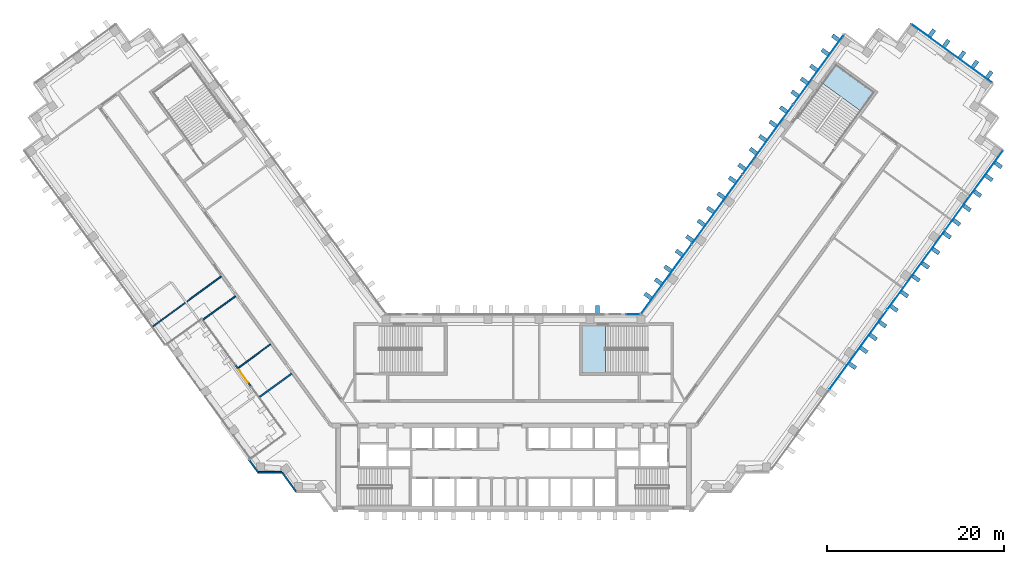
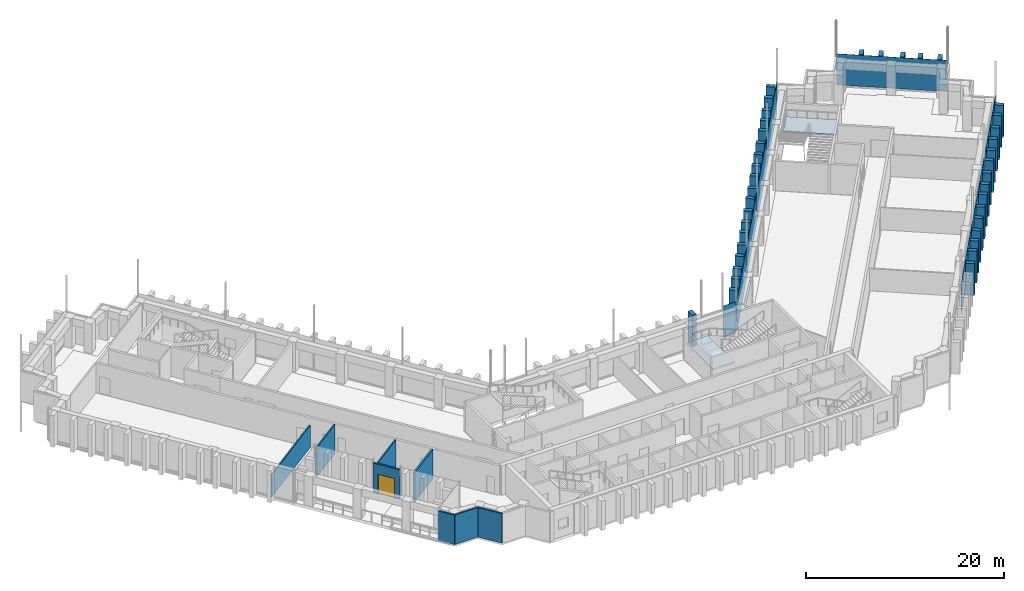
# One storey, part 9 of 18: 49 plates, 8 walls, 2 slabs, 1 door, 1 opening, 6 elements without a shape of their own.
"""IFC4 building model written with IfcOpenShell, lengths in metres."""

from ifc_helpers import new_model, si_unit, direction, frame, frame_2d, origin, origin_2d, place, context, subcontext, project, spatial, polyline, rectangle, outline, extrude, material, layer, layer_set, type_object, element, fill, aggregate, save


model = new_model("IFC4")

# Units and contexts
model_context = context("Model", 3, precision=1e-05, world=origin(), true_north=direction((0.0, 1.0)))
body_context = subcontext(model_context, "Body", "Model", "MODEL_VIEW")
ifc_project = project(units=[si_unit("LENGTHUNIT", "METRE"), si_unit("AREAUNIT", "SQUARE_METRE"), si_unit("VOLUMEUNIT", "CUBIC_METRE"), si_unit("PLANEANGLEUNIT", "RADIAN"), si_unit("MASSUNIT", "GRAM", prefix="KILO")], contexts=[model_context])

# Site, building, storey
site_placement = place(None, origin())
site = spatial("IfcSite", under=ifc_project, at=site_placement, CompositionType="ELEMENT")
building_placement = place(site_placement, origin())
building = spatial("IfcBuilding", under=site, at=building_placement, Name="Quipu Civic Tower", CompositionType="ELEMENT")
storey_placement = place(building_placement, frame((0.0, 0.0, 59.0)))
storey = spatial("IfcBuildingStorey", under=building, at=storey_placement, Name="L13", CompositionType="ELEMENT", Elevation=59.0)

# Curtain wall, plates
ifc_material_1 = material(Name="Insulated glass unit", Category="glass")
curtain_wall_type = type_object("IfcCurtainWallType", Name="Office curtain wall CW1", PredefinedType="NOTDEFINED", material=ifc_material_1)
curtain_wall_1_placement = place(storey_placement, origin())
curtain_wall_1 = element("IfcCurtainWall", 1, at=curtain_wall_1_placement, inside=storey, type_object=curtain_wall_type, Name="Office curtain wall CW1 L12 run 26", PredefinedType="NOTDEFINED")
ifc_material_2 = material(Name="Insulated glass unit", Category="glass")
ifc_layer_1 = layer(ifc_material_2, 0.028076171875)
ifc_layer_set_1 = layer_set([ifc_layer_1], Name="Insulated glass unit")
plate_type_1 = type_object("IfcPlateType", Name="Glass panel CW1", PredefinedType="CURTAIN_PANEL", material=ifc_layer_set_1)
plate_1_placement = place(storey_placement, frame((38.880126953125, 7.101806640625, 0.16015625), z_axis=(0.0, 0.0, 1.0), x_axis=(0.587785559869, 0.809016770908, 0.0)))
plate_1 = element("IfcPlate", 2, at=plate_1_placement, type_object=plate_type_1, Name="CW1 panel 2.2", PredefinedType="CURTAIN_PANEL", context=body_context, shape_type="SweptSolid", body=[
    extrude(rectangle(XDim=11.062744140625, YDim=0.028076171875, at=origin_2d()), origin(), (0.0, 0.0, 1.0), 3.840087890625),
])
plate_2_placement = place(storey_placement, frame((45.4296875, 16.11669921875, 0.16015625), z_axis=(0.0, 0.0, 1.0), x_axis=(0.587785559869, 0.809016770908, 0.0)))
plate_2 = element("IfcPlate", 3, at=plate_2_placement, type_object=plate_type_1, Name="CW1 panel 3.2", PredefinedType="CURTAIN_PANEL", context=body_context, shape_type="SweptSolid", body=[
    extrude(rectangle(XDim=11.062744140625, YDim=0.028076171875, at=origin_2d()), origin(), (0.0, 0.0, 1.0), 3.840087890625),
])
plate_3_placement = place(storey_placement, frame((51.967529296875, 25.114990234375, 0.16015625), z_axis=(0.0, 0.0, 1.0), x_axis=(0.587785559869, 0.809016770908, 0.0)))
plate_3 = element("IfcPlate", 4, at=plate_3_placement, type_object=plate_type_1, Name="CW1 panel 4.2", PredefinedType="CURTAIN_PANEL", context=body_context, shape_type="SweptSolid", body=[
    extrude(rectangle(XDim=11.022705078125, YDim=0.028076171875, at=origin_2d()), origin(), (0.0, 0.0, 1.0), 3.840087890625),
])
aggregate(curtain_wall_1, [plate_1, plate_2, plate_3])

# Curtain wall, plate
curtain_wall_2_placement = place(storey_placement, origin())
curtain_wall_2 = element("IfcCurtainWall", 5, at=curtain_wall_2_placement, inside=storey, type_object=curtain_wall_type, Name="Office curtain wall CW1 L12 run 31", PredefinedType="NOTDEFINED")
plate_4_placement = place(storey_placement, frame((49.447998046875, 40.53173828125, 0.16015625), z_axis=(0.0, 0.0, 1.0), x_axis=(-0.809019348124, 0.587782012621, 0.0)))
plate_4 = element("IfcPlate", 6, at=plate_4_placement, type_object=plate_type_1, Name="CW1 panel 1.2", PredefinedType="CURTAIN_PANEL", context=body_context, shape_type="SweptSolid", body=[
    extrude(rectangle(XDim=11.239990234375, YDim=0.028076171875, at=origin_2d()), origin(), (0.0, 0.0, 1.0), 3.840087890625),
])
aggregate(curtain_wall_2, [plate_4])

# Curtain wall, plates
curtain_wall_3_placement = place(storey_placement, origin())
curtain_wall_3 = element("IfcCurtainWall", 7, at=curtain_wall_3_placement, inside=storey, type_object=curtain_wall_type, Name="Office curtain wall CW1 L12 run 36", PredefinedType="NOTDEFINED")
plate_5_placement = place(storey_placement, frame((34.413330078125, 38.722900390625, 0.16015625), z_axis=(0.0, 0.0, 1.0), x_axis=(-0.587785887566, -0.809016532822, 0.0)))
plate_5 = element("IfcPlate", 8, at=plate_5_placement, type_object=plate_type_1, Name="CW1 panel 1.2", PredefinedType="CURTAIN_PANEL", context=body_context, shape_type="SweptSolid", body=[
    extrude(rectangle(XDim=9.64111328125, YDim=0.028076171875, at=origin_2d()), origin(), (0.0, 0.0, 1.0), 3.840087890625),
])
plate_6_placement = place(storey_placement, frame((28.687744140625, 30.84228515625, 0.16015625), z_axis=(0.0, 0.0, 1.0), x_axis=(-0.587785887566, -0.809016532822, 0.0)))
plate_6 = element("IfcPlate", 9, at=plate_6_placement, type_object=plate_type_1, Name="CW1 panel 2.2", PredefinedType="CURTAIN_PANEL", context=body_context, shape_type="SweptSolid", body=[
    extrude(rectangle(XDim=9.68115234375, YDim=0.028076171875, at=origin_2d()), origin(), (0.0, 0.0, 1.0), 3.840087890625),
])
plate_7_placement = place(storey_placement, frame((22.950439453125, 22.9453125, 0.16015625), z_axis=(0.0, 0.0, 1.0), x_axis=(-0.587785887566, -0.809016532822, 0.0)))
plate_7 = element("IfcPlate", 10, at=plate_7_placement, type_object=plate_type_1, Name="CW1 panel 3.2", PredefinedType="CURTAIN_PANEL", context=body_context, shape_type="SweptSolid", body=[
    extrude(rectangle(XDim=9.68115234375, YDim=0.028076171875, at=origin_2d()), origin(), (0.0, 0.0, 1.0), 3.840087890625),
])
plate_8_placement = place(storey_placement, frame((17.224609375, 15.064697265625, 0.16015625), z_axis=(0.0, 0.0, 1.0), x_axis=(-0.587785887566, -0.809016532822, 0.0)))
plate_8 = element("IfcPlate", 11, at=plate_8_placement, type_object=plate_type_1, Name="CW1 panel 4.2", PredefinedType="CURTAIN_PANEL", context=body_context, shape_type="SweptSolid", body=[
    extrude(rectangle(XDim=9.64111328125, YDim=0.028076171875, at=origin_2d()), origin(), (0.0, 0.0, 1.0), 3.840087890625),
])
aggregate(curtain_wall_3, [plate_5, plate_6, plate_7, plate_8])

# Curtain wall, plate
curtain_wall_4_placement = place(storey_placement, origin())
curtain_wall_4 = element("IfcCurtainWall", 12, at=curtain_wall_4_placement, inside=storey, type_object=curtain_wall_type, Name="Office curtain wall CW1 L12 run 37", PredefinedType="NOTDEFINED")
plate_9_placement = place(storey_placement, frame((13.49951171875, 11.10009765625, 0.16015625), z_axis=(0.0, 0.0, 1.0), x_axis=(-1.0, 0.0, 0.0)))
plate_9 = element("IfcPlate", 13, at=plate_9_placement, type_object=plate_type_1, Name="CW1 panel 1.2", PredefinedType="CURTAIN_PANEL", context=body_context, shape_type="SweptSolid", body=[
    extrude(rectangle(XDim=1.529296875, YDim=0.028076171875, at=origin_2d()), origin(), (0.0, 0.0, 1.0), 3.840087890625),
])
aggregate(curtain_wall_4, [plate_9])

# Plates
ifc_material_3 = material(Name="Precast concrete C40/50", Category="concrete")
plate_type_2 = type_object("IfcPlateType", Name="Precast fin F1", PredefinedType="SHEET", material=ifc_material_3)
for number, where, z_axis, x_axis, name in (
    (14, (38.243896484375, 5.29052734375, 0.080078125), (0.0, 0.0, 1.0), (0.587785716149, 0.809016657363, 0.0), "Precast fin F1 L13.P23.8"),
    (15, (39.537109375, 7.0703125, 0.080078125), (0.0, 0.0, 1.0), (0.587785716149, 0.809016657363, 0.0), "Precast fin F1 L13.P23.9"),
    (16, (40.594970703125, 8.526611328125, 0.080078125), (0.0, 0.0, 1.0), (0.587785716149, 0.809016657363, 0.0), "Precast fin F1 L13.P23.10"),
    (17, (41.653076171875, 9.982666015625, 0.080078125), (0.0, 0.0, 1.0), (0.587785716149, 0.809016657363, 0.0), "Precast fin F1 L13.P23.11"),
    (18, (42.9462890625, 11.7626953125, 0.080078125), (0.0, 0.0, 1.0), (0.587785716149, 0.809016657363, 0.0), "Precast fin F1 L13.P23.12"),
    (19, (44.121826171875, 13.380615234375, 0.080078125), (0.0, 0.0, 1.0), (0.587785716149, 0.809016657363, 0.0), "Precast fin F1 L13.P23.13"),
    (20, (45.414794921875, 15.160400390625, 0.080078125), (0.0, 0.0, 1.0), (0.587785716149, 0.809016657363, 0.0), "Precast fin F1 L13.P23.14"),
    (21, (46.472900390625, 16.61669921875, 0.080078125), (0.0, 0.0, 1.0), (0.587785716149, 0.809016657363, 0.0), "Precast fin F1 L13.P23.15"),
    (22, (47.6484375, 18.234619140625, 0.080078125), (0.0, 0.0, 1.0), (0.587785716149, 0.809016657363, 0.0), "Precast fin F1 L13.P23.16"),
    (23, (48.941650390625, 20.0146484375, 0.080078125), (0.0, 0.0, 1.0), (0.587785716149, 0.809016657363, 0.0), "Precast fin F1 L13.P23.17"),
    (24, (49.999755859375, 21.470703125, 0.080078125), (0.0, 0.0, 1.0), (0.587785716149, 0.809016657363, 0.0), "Precast fin F1 L13.P23.18"),
    (25, (51.17529296875, 23.0888671875, 0.080078125), (0.0, 0.0, 1.0), (0.587785716149, 0.809016657363, 0.0), "Precast fin F1 L13.P23.19"),
    (26, (52.350830078125, 24.706787109375, 0.080078125), (0.0, 0.0, 1.0), (0.587785716149, 0.809016657363, 0.0), "Precast fin F1 L13.P23.20"),
    (27, (53.643798828125, 26.48681640625, 0.080078125), (0.0, 0.0, 1.0), (0.587785716149, 0.809016657363, 0.0), "Precast fin F1 L13.P23.21"),
    (28, (54.701904296875, 27.94287109375, 0.080078125), (0.0, 0.0, 1.0), (0.587785716149, 0.809016657363, 0.0), "Precast fin F1 L13.P23.22"),
    (29, (53.6748046875, 38.140625, 0.080078125), (0.0, 0.0, 1.0), (-0.809021318545, 0.587779300537, 0.0), "Precast fin F1 L13.P28.1"),
    (30, (52.056884765625, 39.316162109375, 0.080078125), (0.0, 0.0, 1.0), (-0.809021318545, 0.587779300537, 0.0), "Precast fin F1 L13.P28.2"),
    (31, (50.6005859375, 40.374267578125, 0.080078125), (0.0, 0.0, 1.0), (-0.809021318545, 0.587779300537, 0.0), "Precast fin F1 L13.P28.3"),
    (32, (48.82080078125, 41.66748046875, 0.080078125), (0.0, 0.0, 1.0), (-0.809021318545, 0.587779300537, 0.0), "Precast fin F1 L13.P28.4"),
    (33, (47.20263671875, 42.843017578125, 0.080078125), (0.0, 0.0, 1.0), (-0.809021318545, 0.587779300537, 0.0), "Precast fin F1 L13.P28.5"),
    (34, (36.334716796875, 42.302978515625, 0.080078125), (0.0, 0.0, 1.0), (-0.587784944053, -0.809017218324, 0.0), "Precast fin F1 L13.P33.1"),
    (35, (35.158935546875, 40.684814453125, 0.080078125), (0.0, 0.0, 1.0), (-0.587784944053, -0.809017218324, 0.0), "Precast fin F1 L13.P33.2"),
    (36, (33.865966796875, 38.905029296875, 0.080078125), (0.0, 0.0, 1.0), (-0.587784944053, -0.809017218324, 0.0), "Precast fin F1 L13.P33.3"),
    (37, (32.807861328125, 37.44873046875, 0.080078125), (0.0, 0.0, 1.0), (-0.587784944053, -0.809017218324, 0.0), "Precast fin F1 L13.P33.4"),
    (38, (31.75, 35.992431640625, 0.080078125), (0.0, 0.0, 1.0), (-0.587784944053, -0.809017218324, 0.0), "Precast fin F1 L13.P33.5"),
    (39, (30.456787109375, 34.212646484375, 0.080078125), (0.0, 0.0, 1.0), (-0.587784944053, -0.809017218324, 0.0), "Precast fin F1 L13.P33.6"),
    (40, (29.28125, 32.5947265625, 0.080078125), (0.0, 0.0, 1.0), (-0.587784944053, -0.809017218324, 0.0), "Precast fin F1 L13.P33.7"),
    (41, (28.105712890625, 30.9765625, 0.080078125), (0.0, 0.0, 1.0), (-0.587784944053, -0.809017218324, 0.0), "Precast fin F1 L13.P33.8"),
    (42, (27.047607421875, 29.5205078125, 0.080078125), (0.0, 0.0, 1.0), (-0.587784944053, -0.809017218324, 0.0), "Precast fin F1 L13.P33.9"),
    (43, (25.75439453125, 27.740478515625, 0.080078125), (0.0, 0.0, 1.0), (-0.587784944053, -0.809017218324, 0.0), "Precast fin F1 L13.P33.10"),
    (44, (24.696533203125, 26.284423828125, 0.080078125), (0.0, 0.0, 1.0), (-0.587784944053, -0.809017218324, 0.0), "Precast fin F1 L13.P33.11"),
    (45, (23.4033203125, 24.50439453125, 0.080078125), (0.0, 0.0, 1.0), (-0.587784944053, -0.809017218324, 0.0), "Precast fin F1 L13.P33.12"),
    (46, (22.227783203125, 22.886474609375, 0.080078125), (0.0, 0.0, 1.0), (-0.587784944053, -0.809017218324, 0.0), "Precast fin F1 L13.P33.13"),
    (47, (21.169677734375, 21.43017578125, 0.080078125), (0.0, 0.0, 1.0), (-0.587784944053, -0.809017218324, 0.0), "Precast fin F1 L13.P33.14"),
    (48, (19.876708984375, 19.650390625, 0.080078125), (0.0, 0.0, 1.0), (-0.587784944053, -0.809017218324, 0.0), "Precast fin F1 L13.P33.15"),
    (49, (18.701171875, 18.032470703125, 0.080078125), (0.0, 0.0, 1.0), (-0.587784944053, -0.809017218324, 0.0), "Precast fin F1 L13.P33.16"),
    (50, (17.407958984375, 16.25244140625, 0.080078125), (0.0, 0.0, 1.0), (-0.587784944053, -0.809017218324, 0.0), "Precast fin F1 L13.P33.17"),
    (51, (16.349853515625, 14.79638671875, 0.080078125), (0.0, 0.0, 1.0), (-0.587784944053, -0.809017218324, 0.0), "Precast fin F1 L13.P33.18"),
    (52, (15.17431640625, 13.17822265625, 0.080078125), (0.0, 0.0, 1.0), (-0.587784944053, -0.809017218324, 0.0), "Precast fin F1 L13.P33.19"),
    (53, (9.47509765625, 11.64990234375, 0.080078125), (0.0, 0.0, 1.0), (-1.0, 0.0, 0.0), "Precast fin F1 L13.P36.1"),
):
    element("IfcPlate", number, at=place(storey_placement, frame(where, z_axis=z_axis, x_axis=x_axis)), inside=storey, type_object=plate_type_2, Name=name, PredefinedType="SHEET", context=body_context, shape_type="SweptSolid", body=[
        extrude(rectangle(XDim=0.449951171875, YDim=0.89990234375, at=origin_2d()), origin(), (0.0, 0.0, 1.0), 3.919921875),
    ])

# Stair, slab
ifc_material_4 = material(Name="Concrete C40/50", Category="concrete")
stair_type = type_object("IfcStairType", Name="Half turn stair 2600", PredefinedType="HALF_TURN_STAIR", material=ifc_material_4)
stair_1_placement = place(storey_placement, origin())
stair_1 = element("IfcStair", 54, at=stair_1_placement, inside=storey, type_object=stair_type, Name="Exit stair 4", PredefinedType="HALF_TURN_STAIR")
ifc_material_5 = material(Name="Concrete C40/50", Category="concrete")
ifc_layer_2 = layer(ifc_material_5, 0.199951171875)
ifc_layer_set_2 = layer_set([ifc_layer_2], Name="Concrete C40/50")
slab_type = type_object("IfcSlabType", Name="Stair landing 200", PredefinedType="LANDING", material=ifc_layer_set_2)
slab_1_placement = place(storey_placement, frame((0.0, 0.0, 1.800048828125)))
slab_1 = element("IfcSlab", 55, at=slab_1_placement, type_object=slab_type, Name="ST-4 landing 1", PredefinedType="LANDING", context=body_context, shape_type="SweptSolid", body=[
    extrude(outline(polyline([(10.35009765625, 9.85009765625), (7.75, 9.85009765625), (7.75, 4.5), (10.35009765625, 4.5), (10.35009765625, 9.85009765625)])), origin(), (0.0, 0.0, 1.0), 0.199951171875),
])
aggregate(stair_1, [slab_1])

stair_2_placement = place(storey_placement, origin())
stair_2 = element("IfcStair", 56, at=stair_2_placement, inside=storey, type_object=stair_type, Name="Exit stair 7", PredefinedType="HALF_TURN_STAIR")
slab_2_placement = place(storey_placement, frame((0.0, 0.0, 1.800048828125)))
slab_2 = element("IfcSlab", 57, at=slab_2_placement, type_object=slab_type, Name="ST-7 landing 1", PredefinedType="LANDING", context=body_context, shape_type="SweptSolid", body=[
    extrude(outline(polyline([(39.16552734375, 34.034912109375), (40.69384765625, 36.138427734375), (36.365478515625, 39.282958984375), (34.837158203125, 37.179443359375), (39.16552734375, 34.034912109375)])), origin(), (0.0, 0.0, 1.0), 0.199951171875),
])
aggregate(stair_2, [slab_2])

# Walls
ifc_material_6 = material(Name="Double gypsum plasterboard with mineral wool")
ifc_layer_3 = layer(ifc_material_6, 0.14990234375)
ifc_layer_set_3 = layer_set([ifc_layer_3], Name="Double gypsum plasterboard with mineral wool")
wall_type_1 = type_object("IfcWallType", Name="Acoustic partition 150 plasterboard", PredefinedType="PARTITIONING", material=ifc_layer_set_3)
wall_1_placement = place(storey_placement, frame((-40.68017578125, 9.74951171875, 0.0), z_axis=(0.0, 0.0, 1.0), x_axis=(0.807645841498, 0.589667868135, 0.0)))
element("IfcWall", 58, at=wall_1_placement, inside=storey, type_object=wall_type_1, Name="Partition P09", PredefinedType="PARTITIONING", context=body_context, shape_type="SweptSolid", body=[
    extrude(rectangle(XDim=9.550537109375, YDim=0.14990234375, at=frame_2d((4.775390625, 0.0))), origin(), (0.0, 0.0, 1.0), 2.75),
])
wall_2_placement = place(storey_placement, frame((-31.356201171875, 13.163818359375, 0.0), z_axis=(0.0, 0.0, 1.0), x_axis=(-0.80905553785, -0.587732198092, 0.0)))
element("IfcWall", 59, at=wall_2_placement, inside=storey, type_object=wall_type_1, Name="Partition P10", PredefinedType="PARTITIONING", context=body_context, shape_type="SweptSolid", body=[
    extrude(rectangle(XDim=4.492919921875, YDim=0.14990234375, at=frame_2d((2.24658203125, 0.0))), origin(), (0.0, 0.0, 1.0), 3.64990234375),
])
wall_3_placement = place(storey_placement, frame((-31.0078125, 5.09130859375, 0.0), z_axis=(0.0, 0.0, 1.0), x_axis=(0.805604164151, 0.592454159157, 0.0)))
element("IfcWall", 60, at=wall_3_placement, inside=storey, type_object=wall_type_1, Name="Partition P11", PredefinedType="PARTITIONING", context=body_context, shape_type="SweptSolid", body=[
    extrude(rectangle(XDim=4.46240234375, YDim=0.14990234375, at=frame_2d((2.231201171875, 0.0))), origin(), (0.0, 0.0, 1.0), 3.64990234375),
])
ifc_material_7 = material(Name="Fired clay blockwork", Category="masonry")
ifc_layer_4 = layer(ifc_material_7, 0.199951171875)
ifc_layer_set_4 = layer_set([ifc_layer_4], Name="Fired clay blockwork")
wall_type_2 = type_object("IfcWallType", Name="Blockwork wall 200", PredefinedType="SOLIDWALL", material=ifc_layer_set_4)
wall_4_placement = place(storey_placement, frame((-25.00830078125, 4.4267578125, 0.0), z_axis=(0.0, 0.0, 1.0), x_axis=(-0.809074306937, -0.58770636023, 0.0)))
element("IfcWall", 61, at=wall_4_placement, inside=storey, type_object=wall_type_2, Name="Partition P12", PredefinedType="SOLIDWALL", context=body_context, shape_type="SweptSolid", body=[
    extrude(rectangle(XDim=4.4931640625, YDim=0.199951171875, at=frame_2d((2.24658203125, 0.0))), origin(), (0.0, 0.0, 1.0), 3.64990234375),
])
ifc_material_8 = material(Name="Precast concrete C40/50", Category="concrete")
wall_type_3 = type_object("IfcWallType", Name="Precast cladding wall", PredefinedType="SOLIDWALL", material=ifc_material_8)
wall_5_placement = place(storey_placement, frame((-28.829833984375, -6.71923828125, 0.0), z_axis=(0.0, 0.0, 1.0), x_axis=(1.0, 0.0, 0.0)))
element("IfcWall", 62, at=wall_5_placement, inside=storey, type_object=wall_type_3, Name="Precast cladding wall L13 P04", PredefinedType="SOLIDWALL", context=body_context, shape_type="SweptSolid", body=[
    extrude(rectangle(XDim=2.699951171875, YDim=0.199951171875, at=frame_2d((1.35009765625, 0.0))), origin(), (0.0, 0.0, 1.0), 3.64990234375),
])
wall_6_placement = place(storey_placement, frame((-26.1201171875, -6.72412109375, 0.0), z_axis=(0.0, 0.0, 1.0), x_axis=(0.587720002413, -0.809064397168, 0.0)))
element("IfcWall", 63, at=wall_6_placement, inside=storey, type_object=wall_type_3, Name="Precast cladding wall L13 P05", PredefinedType="SOLIDWALL", context=body_context, shape_type="SweptSolid", body=[
    extrude(rectangle(XDim=2.7001953125, YDim=0.199951171875, at=frame_2d((1.35009765625, 0.0))), origin(), (0.0, 0.0, 1.0), 3.64990234375),
])
wall_7_placement = place(storey_placement, frame((-29.85205078125, -5.3037109375, 0.0), z_axis=(0.0, 0.0, 1.0), x_axis=(0.587783029048, -0.809018609652, 0.0)))
element("IfcWall", 64, at=wall_7_placement, inside=storey, type_object=wall_type_3, Name="Precast cladding wall L13 7", PredefinedType="SOLIDWALL", context=body_context, shape_type="SweptSolid", body=[
    extrude(rectangle(XDim=1.755615234375, YDim=0.199951171875, at=frame_2d((0.8779296875, 0.0))), origin(), (0.0, 0.0, 1.0), 3.64990234375),
])

# Wall, opening, door
ifc_material_9 = material(Name="Precast concrete C40/50", Category="concrete")
wall_type_4 = type_object("IfcWallType", Name="Precast door surround", PredefinedType="SOLIDWALL", material=ifc_material_9)
wall_8_placement = place(storey_placement, frame((-29.602294921875, 2.935546875, 0.0), z_axis=(0.0, 0.0, 1.0), x_axis=(-0.587735577821, 0.809053082661, 0.0)))
wall_8 = element("IfcWall", 65, at=wall_8_placement, inside=storey, type_object=wall_type_4, Name="Door surround ED-L13-1", PredefinedType="SOLIDWALL", context=body_context, shape_type="SweptSolid", body=[
    extrude(rectangle(XDim=2.962890625, YDim=0.199951171875, at=frame_2d((1.4814453125, 0.0))), origin(), (0.0, 0.0, 1.0), 3.64990234375),
])
opening_placement = place(wall_8_placement, frame((0.58154296875, 0.0, 0.0)))
opening = element("IfcOpeningElement", 66, at=opening_placement, cuts=wall_8, Name="Opening ED-L13-1", PredefinedType="OPENING", context=body_context, shape_type="SweptSolid", body=[
    extrude(rectangle(XDim=1.800048828125, YDim=2.39990234375, at=frame_2d((0.89990234375, 1.199951171875))), frame((0.0, 0.10986328125, 0.0), z_axis=(0.0, -1.0, 0.0), x_axis=(1.0, 0.0, 0.0)), (0.0, 0.0, 1.0), 0.219970703125),
])
ifc_material_10 = material(Name="Aluminium framed glazed door", Category="aluminium")
door_type = type_object("IfcDoorType", Name="Terrace door E3", OperationType="DOUBLE_DOOR_SINGLE_SWING", PredefinedType="DOOR", material=ifc_material_10)
door_placement = place(opening_placement, origin())
door = element("IfcDoor", 67, at=door_placement, inside=storey, type_object=door_type, Name="E3 door ED-L13-1", OperationType="DOUBLE_DOOR_SINGLE_SWING", OverallHeight=2.39990234375, OverallWidth=1.800048828125, PredefinedType="DOOR", context=body_context, shape_type="SweptSolid", body=[
    extrude(rectangle(XDim=1.800048828125, YDim=2.39990234375, at=frame_2d((0.89990234375, 1.199951171875))), frame((0.0, 0.02490234375, 0.0), z_axis=(0.0, -1.0, 0.0), x_axis=(1.0, 0.0, 0.0)), (0.0, 0.0, 1.0), 0.050048828125),
])
fill(opening, door)

save(model, "model.ifc")
